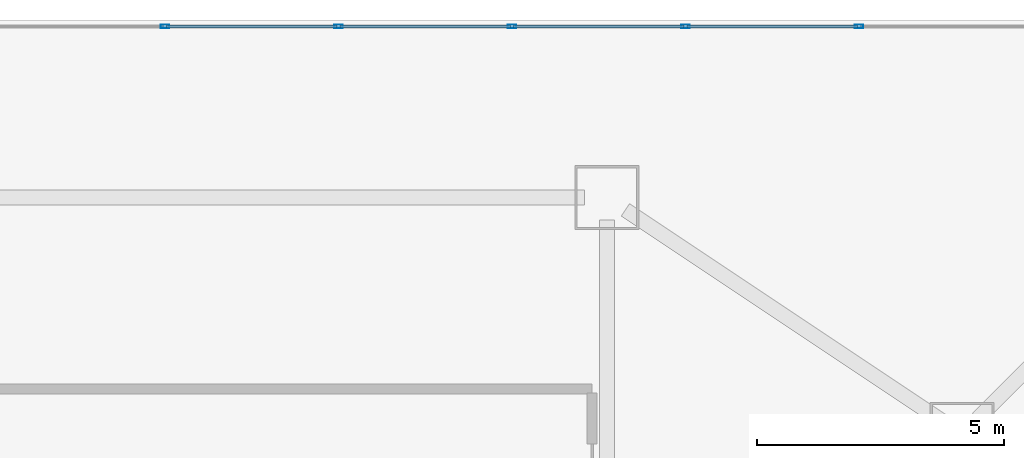
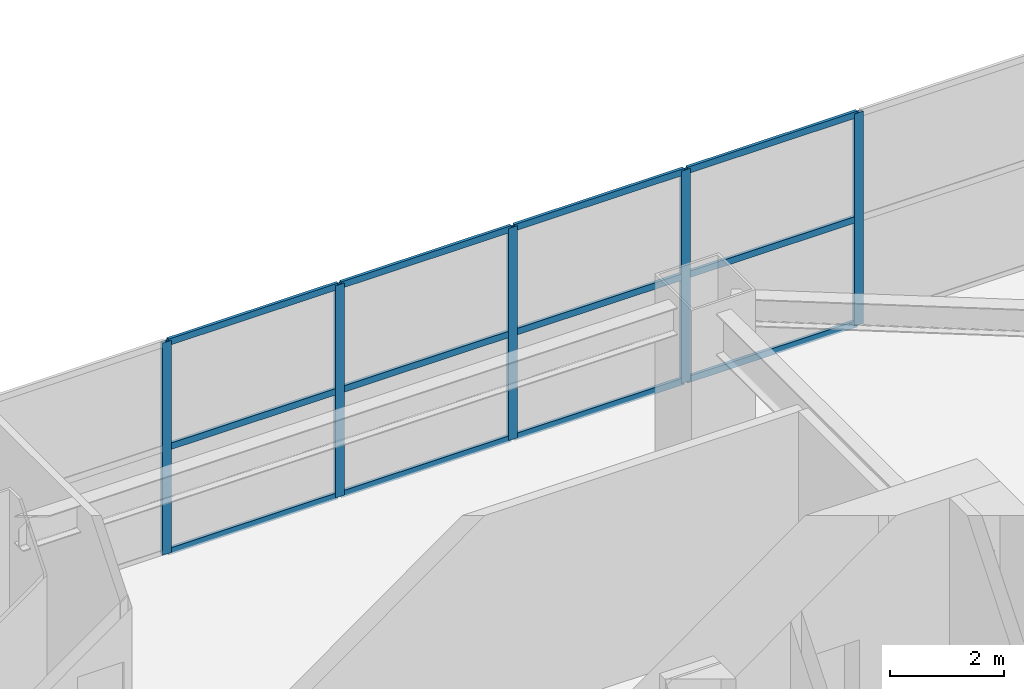
# One storey, part 15 of 31: 17 members, 1 element without a shape of its own.
"""IFC4 building model written with IfcOpenShell, lengths in metres."""

from ifc_helpers import new_model, si_unit, direction, frame, origin, origin_2d, place, context, subcontext, project, spatial, hollow_rectangle, extrude, material, layer, layer_set, material_profile, profile_set, type_object, element, aggregate, save


model = new_model("IFC4")

# Units and contexts
model_context = context("Model", 3, precision=1e-05, world=origin(), true_north=direction((0.0, 1.0)))
body_context = subcontext(model_context, "Body", "Model", "MODEL_VIEW")
ifc_project = project(units=[si_unit("LENGTHUNIT", "METRE"), si_unit("AREAUNIT", "SQUARE_METRE"), si_unit("VOLUMEUNIT", "CUBIC_METRE"), si_unit("PLANEANGLEUNIT", "RADIAN"), si_unit("MASSUNIT", "GRAM", prefix="KILO")], contexts=[model_context])

# Site, building, storey
site_placement = place(None, origin())
site = spatial("IfcSite", under=ifc_project, at=site_placement, CompositionType="ELEMENT")
building_placement = place(site_placement, origin())
building = spatial("IfcBuilding", under=site, at=building_placement, Name="Haolan Belvedere Tower", CompositionType="ELEMENT")
storey_placement = place(building_placement, frame((0.0, 0.0, 5.39990234375)))
storey = spatial("IfcBuildingStorey", under=building, at=storey_placement, Name="L01", CompositionType="ELEMENT", Elevation=5.39990234375)

# Curtain wall, members
ifc_material_1 = material(Name="Anodised champagne-silver aluminium 6063-T6 and Low-E glass", Category="aluminium")
ifc_layer = layer(ifc_material_1, 0.179931640625, Name="Anodised champagne-silver aluminium 6063-T6 and Low-E glass")
ifc_layer_set = layer_set([ifc_layer], Name="Anodised champagne-silver aluminium 6063-T6 and Low-E glass")
curtain_wall_type = type_object("IfcCurtainWallType", Name="CW-SYS-01", PredefinedType="NOTDEFINED", material=ifc_layer_set)
curtain_wall_placement = place(storey_placement, origin())
curtain_wall = element("IfcCurtainWall", 1, at=curtain_wall_placement, inside=storey, type_object=curtain_wall_type, Name="L01 CW-SYS-01 ribbon curtain wall 3.1", PredefinedType="NOTDEFINED")
ifc_material_2 = material(Name="Anodised aluminium 6063-T6", Category="aluminium")
ifc_material_profile_1 = material_profile(ifc_material_2, hollow_rectangle(XDim=0.06494140625, YDim=0.179931640625, WallThickness=0.00390625, at=origin_2d()), Name="Anodised aluminium 6063-T6")
ifc_profile_set_1 = profile_set([ifc_material_profile_1], Name="Anodised aluminium 6063-T6")
member_type_1 = type_object("IfcMemberType", Name="CW-SYS-01-MUL", PredefinedType="MULLION", material=ifc_profile_set_1)
member_1_placement = place(storey_placement, frame((50.7099609375, 53.8701171875, 0.0), z_axis=(0.0, 0.0, 1.0), x_axis=(0.0, -1.0, 0.0)))
member_1 = element("IfcMember", 2, at=member_1_placement, type_object=member_type_1, Name="CW-01 mullion 8", PredefinedType="MULLION", context=body_context, shape_type="SweptSolid", body=[
    extrude(hollow_rectangle(XDim=0.06494140625, YDim=0.179931640625, WallThickness=0.00390625, at=origin_2d()), origin(), (0.0, 0.0, 1.0), 4.56005859375),
])
member_2_placement = place(storey_placement, frame((47.19287109375, 53.8701171875, 0.0), z_axis=(0.0, 0.0, 1.0), x_axis=(0.0, -1.0, 0.0)))
member_2 = element("IfcMember", 3, at=member_2_placement, type_object=member_type_1, Name="CW-01 mullion 9", PredefinedType="MULLION", context=body_context, shape_type="SweptSolid", body=[
    extrude(hollow_rectangle(XDim=0.06494140625, YDim=0.179931640625, WallThickness=0.00390625, at=origin_2d()), origin(), (0.0, 0.0, 1.0), 4.56005859375),
])
member_3_placement = place(storey_placement, frame((43.67578125, 53.8701171875, 0.0), z_axis=(0.0, 0.0, 1.0), x_axis=(0.0, -1.0, 0.0)))
member_3 = element("IfcMember", 4, at=member_3_placement, type_object=member_type_1, Name="CW-01 mullion 10", PredefinedType="MULLION", context=body_context, shape_type="SweptSolid", body=[
    extrude(hollow_rectangle(XDim=0.06494140625, YDim=0.179931640625, WallThickness=0.00390625, at=origin_2d()), origin(), (0.0, 0.0, 1.0), 4.56005859375),
])
member_4_placement = place(storey_placement, frame((40.15869140625, 53.8701171875, 0.0), z_axis=(0.0, 0.0, 1.0), x_axis=(0.0, -1.0, 0.0)))
member_4 = element("IfcMember", 5, at=member_4_placement, type_object=member_type_1, Name="CW-01 mullion 11", PredefinedType="MULLION", context=body_context, shape_type="SweptSolid", body=[
    extrude(hollow_rectangle(XDim=0.06494140625, YDim=0.179931640625, WallThickness=0.00390625, at=origin_2d()), origin(), (0.0, 0.0, 1.0), 4.56005859375),
])
member_5_placement = place(storey_placement, frame((36.641357421875, 53.8701171875, 0.0), z_axis=(0.0, 0.0, 1.0), x_axis=(0.0, -1.0, 0.0)))
member_5 = element("IfcMember", 6, at=member_5_placement, type_object=member_type_1, Name="CW-01 mullion 12", PredefinedType="MULLION", context=body_context, shape_type="SweptSolid", body=[
    extrude(hollow_rectangle(XDim=0.06494140625, YDim=0.179931640625, WallThickness=0.00390625, at=origin_2d()), origin(), (0.0, 0.0, 1.0), 4.56005859375),
])
ifc_material_profile_2 = material_profile(ifc_material_2, hollow_rectangle(XDim=0.06005859375, YDim=0.139892578125, WallThickness=0.00390625, at=origin_2d()), Name="Anodised aluminium 6063-T6")
ifc_profile_set_2 = profile_set([ifc_material_profile_2], Name="Anodised aluminium 6063-T6")
member_type_2 = type_object("IfcMemberType", Name="CW-SYS-01-TRN", PredefinedType="USERDEFINED", material=ifc_profile_set_2)
member_6_placement = place(storey_placement, frame((50.677490234375, 53.8701171875, 0.030029296875), z_axis=(-1.0, 0.0, 0.0), x_axis=(0.0, -1.0, 0.0)))
member_6 = element("IfcMember", 7, at=member_6_placement, type_object=member_type_2, Name="CW-01 transom 8.1", ObjectType="TRANSOM", PredefinedType="USERDEFINED", context=body_context, shape_type="SweptSolid", body=[
    extrude(hollow_rectangle(XDim=0.06005859375, YDim=0.139892578125, WallThickness=0.00390625, at=origin_2d()), origin(), (0.0, 0.0, 1.0), 3.4521484375),
])
member_7_placement = place(storey_placement, frame((50.677490234375, 53.8701171875, 2.280029296875), z_axis=(-1.0, 0.0, 0.0), x_axis=(0.0, -1.0, 0.0)))
member_7 = element("IfcMember", 8, at=member_7_placement, type_object=member_type_2, Name="CW-01 transom 8.2", ObjectType="TRANSOM", PredefinedType="USERDEFINED", context=body_context, shape_type="SweptSolid", body=[
    extrude(hollow_rectangle(XDim=0.06005859375, YDim=0.139892578125, WallThickness=0.00390625, at=origin_2d()), origin(), (0.0, 0.0, 1.0), 3.4521484375),
])
member_8_placement = place(storey_placement, frame((50.677490234375, 53.8701171875, 4.530029296875), z_axis=(-1.0, 0.0, 0.0), x_axis=(0.0, -1.0, 0.0)))
member_8 = element("IfcMember", 9, at=member_8_placement, type_object=member_type_2, Name="CW-01 transom 8.3", ObjectType="TRANSOM", PredefinedType="USERDEFINED", context=body_context, shape_type="SweptSolid", body=[
    extrude(hollow_rectangle(XDim=0.06005859375, YDim=0.139892578125, WallThickness=0.00390625, at=origin_2d()), origin(), (0.0, 0.0, 1.0), 3.4521484375),
])
member_9_placement = place(storey_placement, frame((47.160400390625, 53.8701171875, 0.030029296875), z_axis=(-1.0, 0.0, 0.0), x_axis=(0.0, -1.0, 0.0)))
member_9 = element("IfcMember", 10, at=member_9_placement, type_object=member_type_2, Name="CW-01 transom 9.1", ObjectType="TRANSOM", PredefinedType="USERDEFINED", context=body_context, shape_type="SweptSolid", body=[
    extrude(hollow_rectangle(XDim=0.06005859375, YDim=0.139892578125, WallThickness=0.00390625, at=origin_2d()), origin(), (0.0, 0.0, 1.0), 3.4521484375),
])
member_10_placement = place(storey_placement, frame((47.160400390625, 53.8701171875, 2.280029296875), z_axis=(-1.0, 0.0, 0.0), x_axis=(0.0, -1.0, 0.0)))
member_10 = element("IfcMember", 11, at=member_10_placement, type_object=member_type_2, Name="CW-01 transom 9.2", ObjectType="TRANSOM", PredefinedType="USERDEFINED", context=body_context, shape_type="SweptSolid", body=[
    extrude(hollow_rectangle(XDim=0.06005859375, YDim=0.139892578125, WallThickness=0.00390625, at=origin_2d()), origin(), (0.0, 0.0, 1.0), 3.4521484375),
])
member_11_placement = place(storey_placement, frame((47.160400390625, 53.8701171875, 4.530029296875), z_axis=(-1.0, 0.0, 0.0), x_axis=(0.0, -1.0, 0.0)))
member_11 = element("IfcMember", 12, at=member_11_placement, type_object=member_type_2, Name="CW-01 transom 9.3", ObjectType="TRANSOM", PredefinedType="USERDEFINED", context=body_context, shape_type="SweptSolid", body=[
    extrude(hollow_rectangle(XDim=0.06005859375, YDim=0.139892578125, WallThickness=0.00390625, at=origin_2d()), origin(), (0.0, 0.0, 1.0), 3.4521484375),
])
member_12_placement = place(storey_placement, frame((43.643310546875, 53.8701171875, 0.030029296875), z_axis=(-1.0, 0.0, 0.0), x_axis=(0.0, -1.0, 0.0)))
member_12 = element("IfcMember", 13, at=member_12_placement, type_object=member_type_2, Name="CW-01 transom 10.1", ObjectType="TRANSOM", PredefinedType="USERDEFINED", context=body_context, shape_type="SweptSolid", body=[
    extrude(hollow_rectangle(XDim=0.06005859375, YDim=0.139892578125, WallThickness=0.00390625, at=origin_2d()), origin(), (0.0, 0.0, 1.0), 3.4521484375),
])
member_13_placement = place(storey_placement, frame((43.643310546875, 53.8701171875, 2.280029296875), z_axis=(-1.0, 0.0, 0.0), x_axis=(0.0, -1.0, 0.0)))
member_13 = element("IfcMember", 14, at=member_13_placement, type_object=member_type_2, Name="CW-01 transom 10.2", ObjectType="TRANSOM", PredefinedType="USERDEFINED", context=body_context, shape_type="SweptSolid", body=[
    extrude(hollow_rectangle(XDim=0.06005859375, YDim=0.139892578125, WallThickness=0.00390625, at=origin_2d()), origin(), (0.0, 0.0, 1.0), 3.4521484375),
])
member_14_placement = place(storey_placement, frame((43.643310546875, 53.8701171875, 4.530029296875), z_axis=(-1.0, 0.0, 0.0), x_axis=(0.0, -1.0, 0.0)))
member_14 = element("IfcMember", 15, at=member_14_placement, type_object=member_type_2, Name="CW-01 transom 10.3", ObjectType="TRANSOM", PredefinedType="USERDEFINED", context=body_context, shape_type="SweptSolid", body=[
    extrude(hollow_rectangle(XDim=0.06005859375, YDim=0.139892578125, WallThickness=0.00390625, at=origin_2d()), origin(), (0.0, 0.0, 1.0), 3.4521484375),
])
member_15_placement = place(storey_placement, frame((40.1259765625, 53.8701171875, 0.030029296875), z_axis=(-1.0, 0.0, 0.0), x_axis=(0.0, -1.0, 0.0)))
member_15 = element("IfcMember", 16, at=member_15_placement, type_object=member_type_2, Name="CW-01 transom 11.1", ObjectType="TRANSOM", PredefinedType="USERDEFINED", context=body_context, shape_type="SweptSolid", body=[
    extrude(hollow_rectangle(XDim=0.06005859375, YDim=0.139892578125, WallThickness=0.00390625, at=origin_2d()), origin(), (0.0, 0.0, 1.0), 3.4521484375),
])
member_16_placement = place(storey_placement, frame((40.1259765625, 53.8701171875, 2.280029296875), z_axis=(-1.0, 0.0, 0.0), x_axis=(0.0, -1.0, 0.0)))
member_16 = element("IfcMember", 17, at=member_16_placement, type_object=member_type_2, Name="CW-01 transom 11.2", ObjectType="TRANSOM", PredefinedType="USERDEFINED", context=body_context, shape_type="SweptSolid", body=[
    extrude(hollow_rectangle(XDim=0.06005859375, YDim=0.139892578125, WallThickness=0.00390625, at=origin_2d()), origin(), (0.0, 0.0, 1.0), 3.4521484375),
])
member_17_placement = place(storey_placement, frame((40.1259765625, 53.8701171875, 4.530029296875), z_axis=(-1.0, 0.0, 0.0), x_axis=(0.0, -1.0, 0.0)))
member_17 = element("IfcMember", 18, at=member_17_placement, type_object=member_type_2, Name="CW-01 transom 11.3", ObjectType="TRANSOM", PredefinedType="USERDEFINED", context=body_context, shape_type="SweptSolid", body=[
    extrude(hollow_rectangle(XDim=0.06005859375, YDim=0.139892578125, WallThickness=0.00390625, at=origin_2d()), origin(), (0.0, 0.0, 1.0), 3.4521484375),
])
aggregate(curtain_wall, [member_1, member_2, member_3, member_4, member_5, member_6, member_7, member_8, member_9, member_10, member_11, member_12, member_13, member_14, member_15, member_16, member_17])

save(model, "model.ifc")
